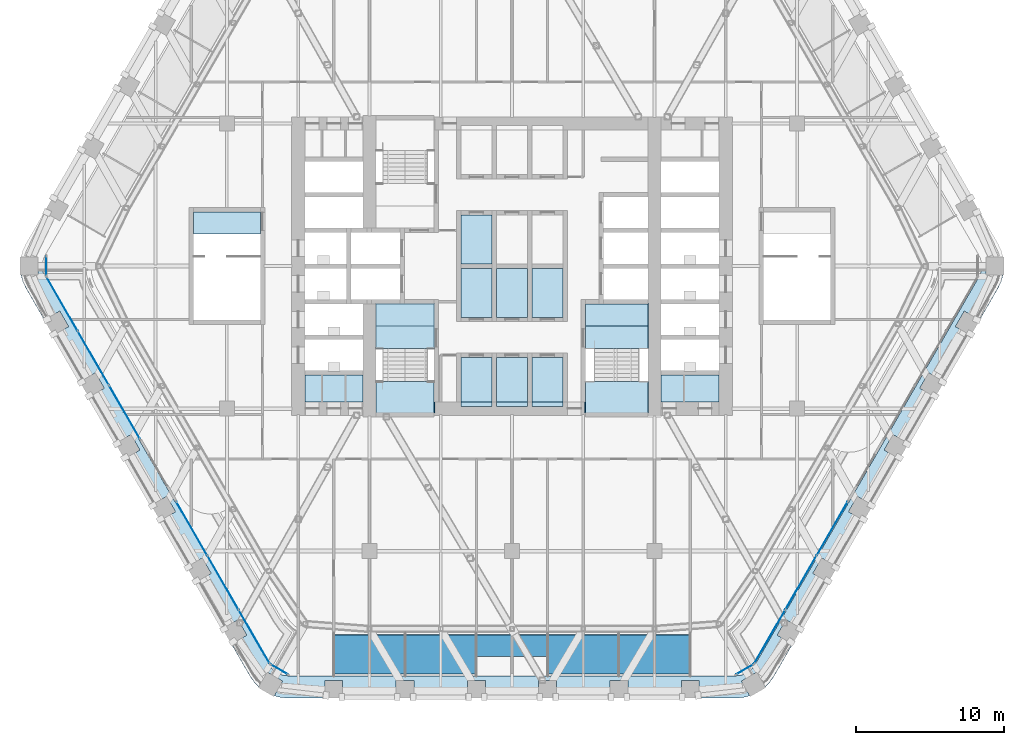
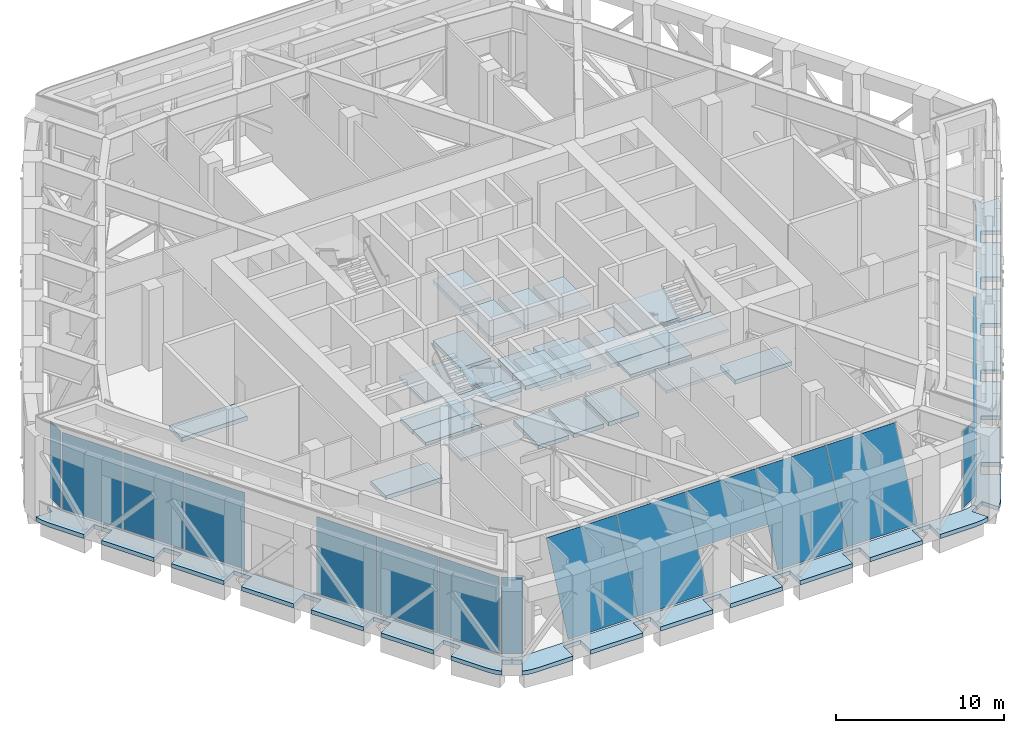
# One storey, part 13 of 27: 30 slabs, 17 plates, 9 elements without a shape of their own.
"""IFC4 building model written with IfcOpenShell, lengths in metres."""

from ifc_helpers import new_model, si_unit, direction, frame, origin, origin_2d, place, context, subcontext, project, spatial, polyline, rectangle, outline, extrude, material, layer, layer_set, type_object, element, aggregate, save


model = new_model("IFC4")

# Units and contexts
model_context = context("Model", 3, precision=1e-05, world=origin(), true_north=direction((0.0, 1.0)))
body_context = subcontext(model_context, "Body", "Model", "MODEL_VIEW")
ifc_project = project(units=[si_unit("LENGTHUNIT", "METRE"), si_unit("AREAUNIT", "SQUARE_METRE"), si_unit("VOLUMEUNIT", "CUBIC_METRE"), si_unit("PLANEANGLEUNIT", "RADIAN"), si_unit("MASSUNIT", "GRAM", prefix="KILO")], contexts=[model_context])

# Site, building, storey
site_placement = place(None, origin())
site = spatial("IfcSite", under=ifc_project, at=site_placement, CompositionType="ELEMENT")
building_placement = place(site_placement, origin())
building = spatial("IfcBuilding", under=site, at=building_placement, Name="Kolab Exchange Tower", CompositionType="ELEMENT")
storey_placement = place(building_placement, frame((0.0, 0.0, 127.39990234375)))
storey = spatial("IfcBuildingStorey", under=building, at=storey_placement, Name="L25", CompositionType="ELEMENT", Elevation=127.39990234375)

# Curtain wall, plates
ifc_material_1 = material(Name="Aluminium EN AW-6063 T6", Category="aluminium")
curtain_wall_type_1 = type_object("IfcCurtainWallType", Name="CANTED BAND CURTAIN WALL", PredefinedType="NOTDEFINED", material=ifc_material_1)
curtain_wall_1_placement = place(storey_placement, origin())
curtain_wall_1 = element("IfcCurtainWall", 1, at=curtain_wall_1_placement, inside=storey, type_object=curtain_wall_type_1, Name="band/L25/F4", PredefinedType="NOTDEFINED")
ifc_layer_1 = layer(ifc_material_1, 0.031982421875)
ifc_layer_set_1 = layer_set([ifc_layer_1], Name="Aluminium EN AW-6063 T6")
plate_type_1 = type_object("IfcPlateType", Name="CANTED BAND LOUVRE PANEL 32", PredefinedType="CURTAIN_PANEL", material=ifc_layer_set_1)
plate_1_placement = place(storey_placement, frame((12.0, -27.473388671875, 0.0), z_axis=(0.0, -0.911700930448, 0.410854491786), x_axis=(-1.0, 0.0, 0.0)))
plate_1 = element("IfcPlate", 2, at=plate_1_placement, type_object=plate_type_1, Name="Band louvre panel", PredefinedType="CURTAIN_PANEL", context=body_context, shape_type="SweptSolid", body=[
    extrude(outline(polyline([(0.0, 0.0), (4.800048828125, 0.0), (4.800048828125, -6.361788865651314), (0.0, -6.361788865651314), (0.0, 0.0)])), origin(), (0.0, 0.0, -1.0), 0.031982421875),
])
plate_2_placement = place(storey_placement, frame((7.199951171875, -27.473388671875, 0.0), z_axis=(0.0, -0.911700930448, 0.410854491786), x_axis=(-1.0, 0.0, 0.0)))
plate_2 = element("IfcPlate", 3, at=plate_2_placement, type_object=plate_type_1, Name="Band louvre panel", PredefinedType="CURTAIN_PANEL", context=body_context, shape_type="SweptSolid", body=[
    extrude(outline(polyline([(0.0, 0.0), (4.800048828125, 0.0), (4.800048828125, -6.361788865651314), (0.0, -6.361788865651314), (0.0, 0.0)])), origin(), (0.0, 0.0, -1.0), 0.031982421875),
])
plate_3_placement = place(storey_placement, frame((2.39990234375, -26.2998046875, 2.604248046875), z_axis=(0.0, -0.911699829001, 0.410856935927), x_axis=(-1.0, 0.0, 0.0)))
plate_3 = element("IfcPlate", 4, at=plate_3_placement, type_object=plate_type_1, Name="Band louvre panel", PredefinedType="CURTAIN_PANEL", context=body_context, shape_type="SweptSolid", body=[
    extrude(outline(polyline([(0.0, 0.0), (4.7998046875, 0.0), (4.7998046875, -3.505321246742694), (0.0, -3.505321246742694), (0.0, 0.0)])), origin(), (0.0, 0.0, -1.0), 0.031982421875),
])
plate_4_placement = place(storey_placement, frame((-2.39990234375, -27.473388671875, 0.0), z_axis=(0.0, -0.911700930448, 0.410854491786), x_axis=(-1.0, 0.0, 0.0)))
plate_4 = element("IfcPlate", 5, at=plate_4_placement, type_object=plate_type_1, Name="Band louvre panel", PredefinedType="CURTAIN_PANEL", context=body_context, shape_type="SweptSolid", body=[
    extrude(outline(polyline([(0.0, 0.0), (4.800048828125, 0.0), (4.800048828125, -6.361788865651314), (0.0, -6.361788865651314), (0.0, 0.0)])), origin(), (0.0, 0.0, -1.0), 0.031982421875),
])
plate_5_placement = place(storey_placement, frame((-7.199951171875, -27.473388671875, 0.0), z_axis=(0.0, -0.911700930448, 0.410854491786), x_axis=(-1.0, 0.0, 0.0)))
plate_5 = element("IfcPlate", 6, at=plate_5_placement, type_object=plate_type_1, Name="Band louvre panel", PredefinedType="CURTAIN_PANEL", context=body_context, shape_type="SweptSolid", body=[
    extrude(outline(polyline([(0.0, 0.0), (4.800048828125, 0.0), (4.800048828125, -6.361788865651314), (0.0, -6.361788865651314), (0.0, 0.0)])), origin(), (0.0, 0.0, -1.0), 0.031982421875),
])
aggregate(curtain_wall_1, [plate_1, plate_2, plate_3, plate_4, plate_5])

# Slabs
ifc_material_2 = material(Name="Concrete C35/45", Category="concrete")
ifc_layer_2 = layer(ifc_material_2, 0.300048828125)
ifc_layer_set_2 = layer_set([ifc_layer_2], Name="Concrete C35/45")
slab_type_1 = type_object("IfcSlabType", Name="FLOOR SLAB 300", PredefinedType="FLOOR", material=ifc_layer_set_2)
slab_1_placement = place(storey_placement, frame((0.0, 0.0, -0.2998046875)))
element("IfcSlab", 7, at=slab_1_placement, inside=storey, type_object=slab_type_1, Name="slab/L25/floor/2", PredefinedType="FLOOR", context=body_context, shape_type="SweptSolid", body=[
    extrude(outline(polyline([(-10.050048828125, -9.14990234375), (-10.050048828125, -7.35009765625), (-13.949951171875, -7.35009765625), (-13.949951171875, -9.14990234375), (-10.050048828125, -9.14990234375)])), origin(), (0.0, 0.0, 1.0), 0.2998046875),
])
slab_2_placement = place(storey_placement, frame((0.0, 0.0, -0.2998046875)))
element("IfcSlab", 8, at=slab_2_placement, inside=storey, type_object=slab_type_1, Name="slab/L25/floor/4", PredefinedType="FLOOR", context=body_context, shape_type="SweptSolid", body=[
    extrude(outline(polyline([(10.050048828125, -9.14990234375), (13.949951171875, -9.14990234375), (13.949951171875, -7.35009765625), (10.050048828125, -7.35009765625), (10.050048828125, -9.14990234375)])), origin(), (0.0, 0.0, 1.0), 0.2998046875),
])
slab_3_placement = place(storey_placement, frame((0.0, 0.0, -0.2998046875)))
element("IfcSlab", 9, at=slab_3_placement, inside=storey, type_object=slab_type_1, Name="slab/L25/floor/6", PredefinedType="FLOOR", context=body_context, shape_type="SweptSolid", body=[
    extrude(outline(polyline([(-1.35009765625, -3.449951171875), (-1.35009765625, -0.14990234375), (-3.449951171875, -0.14990234375), (-3.449951171875, -3.449951171875), (-1.35009765625, -3.449951171875)])), origin(), (0.0, 0.0, 1.0), 0.2998046875),
])
slab_4_placement = place(storey_placement, frame((0.0, 0.0, -0.2998046875)))
element("IfcSlab", 10, at=slab_4_placement, inside=storey, type_object=slab_type_1, Name="slab/L25/floor/7", PredefinedType="FLOOR", context=body_context, shape_type="SweptSolid", body=[
    extrude(outline(polyline([(-1.35009765625, 0.14990234375), (-1.35009765625, 3.449951171875), (-3.449951171875, 3.449951171875), (-3.449951171875, 0.14990234375), (-1.35009765625, 0.14990234375)])), origin(), (0.0, 0.0, 1.0), 0.2998046875),
])
slab_5_placement = place(storey_placement, frame((0.0, 0.0, -0.2998046875)))
element("IfcSlab", 11, at=slab_5_placement, inside=storey, type_object=slab_type_1, Name="slab/L25/floor/8", PredefinedType="FLOOR", context=body_context, shape_type="SweptSolid", body=[
    extrude(outline(polyline([(-1.050048828125, -0.14990234375), (-1.050048828125, -3.449951171875), (1.050048828125, -3.449951171875), (1.050048828125, -0.14990234375), (-1.050048828125, -0.14990234375)])), origin(), (0.0, 0.0, 1.0), 0.2998046875),
])
slab_6_placement = place(storey_placement, frame((0.0, 0.0, -0.2998046875)))
element("IfcSlab", 12, at=slab_6_placement, inside=storey, type_object=slab_type_1, Name="slab/L25/floor/10", PredefinedType="FLOOR", context=body_context, shape_type="SweptSolid", body=[
    extrude(outline(polyline([(1.35009765625, -3.449951171875), (3.449951171875, -3.449951171875), (3.449951171875, -0.14990234375), (1.35009765625, -0.14990234375), (1.35009765625, -3.449951171875)])), origin(), (0.0, 0.0, 1.0), 0.2998046875),
])
slab_7_placement = place(storey_placement, frame((0.0, 0.0, -0.2998046875)))
element("IfcSlab", 13, at=slab_7_placement, inside=storey, type_object=slab_type_1, Name="slab/L25/floor/12", PredefinedType="FLOOR", context=body_context, shape_type="SweptSolid", body=[
    extrude(outline(polyline([(-21.449951171875, 3.64990234375), (-21.449951171875, 2.14990234375), (-16.949951171875, 2.14990234375), (-16.949951171875, 3.64990234375), (-21.449951171875, 3.64990234375)])), origin(), (0.0, 0.0, 1.0), 0.2998046875),
])
slab_8_placement = place(storey_placement, frame((0.0, 0.0, -0.2998046875)))
element("IfcSlab", 14, at=slab_8_placement, inside=storey, type_object=slab_type_1, Name="slab/L25/floor/14", PredefinedType="FLOOR", context=body_context, shape_type="SweptSolid", body=[
    extrude(outline(polyline([(-1.35009765625, -6.14990234375), (-3.449951171875, -6.14990234375), (-3.449951171875, -9.14990234375), (-1.35009765625, -9.14990234375), (-1.35009765625, -6.14990234375)])), origin(), (0.0, 0.0, 1.0), 0.2998046875),
])
slab_9_placement = place(storey_placement, frame((0.0, 0.0, -0.2998046875)))
element("IfcSlab", 15, at=slab_9_placement, inside=storey, type_object=slab_type_1, Name="slab/L25/floor/16", PredefinedType="FLOOR", context=body_context, shape_type="SweptSolid", body=[
    extrude(outline(polyline([(1.050048828125, -6.14990234375), (-1.050048828125, -6.14990234375), (-1.050048828125, -9.14990234375), (1.050048828125, -9.14990234375), (1.050048828125, -6.14990234375)])), origin(), (0.0, 0.0, 1.0), 0.2998046875),
])
slab_10_placement = place(storey_placement, frame((0.0, 0.0, -0.2998046875)))
element("IfcSlab", 16, at=slab_10_placement, inside=storey, type_object=slab_type_1, Name="slab/L25/floor/18", PredefinedType="FLOOR", context=body_context, shape_type="SweptSolid", body=[
    extrude(outline(polyline([(1.35009765625, -6.14990234375), (1.35009765625, -9.14990234375), (3.449951171875, -9.14990234375), (3.449951171875, -6.14990234375), (1.35009765625, -6.14990234375)])), origin(), (0.0, 0.0, 1.0), 0.2998046875),
])
slab_11_placement = place(storey_placement, frame((0.0, 0.0, -0.2998046875)))
element("IfcSlab", 17, at=slab_11_placement, inside=storey, type_object=slab_type_1, Name="slab/L25/floor/20", PredefinedType="FLOOR", context=body_context, shape_type="SweptSolid", body=[
    extrude(outline(polyline([(4.949951171875, -4.050048828125), (9.14990234375, -4.050048828125), (9.14990234375, -2.550048828125), (6.14990234375, -2.550048828125), (5.85009765625, -2.550048828125), (4.949951171875, -2.550048828125), (4.949951171875, -4.050048828125)])), origin(), (0.0, 0.0, 1.0), 0.2998046875),
])
slab_12_placement = place(storey_placement, frame((0.0, 0.0, -0.2998046875)))
element("IfcSlab", 18, at=slab_12_placement, inside=storey, type_object=slab_type_1, Name="slab/L25/floor/21", PredefinedType="FLOOR", context=body_context, shape_type="SweptSolid", body=[
    extrude(outline(polyline([(-9.14990234375, -2.550048828125), (-9.14990234375, -4.050048828125), (-5.25, -4.050048828125), (-5.25, -2.550048828125), (-7.25, -2.550048828125), (-7.550048828125, -2.550048828125), (-9.14990234375, -2.550048828125)])), origin(), (0.0, 0.0, 1.0), 0.2998046875),
])
ifc_layer_3 = layer(ifc_material_2, 0.300048828125)
ifc_layer_set_3 = layer_set([ifc_layer_3], Name="Concrete C35/45")
slab_type_2 = type_object("IfcSlabType", Name="LIFT PIT SLAB 300", PredefinedType="FLOOR", material=ifc_layer_set_3)
slab_13_placement = place(storey_placement, frame((0.0, 0.0, 4.10009765625)))
element("IfcSlab", 19, at=slab_13_placement, inside=storey, type_object=slab_type_2, Name="slab/L25/pit/HR4", PredefinedType="FLOOR", context=body_context, shape_type="SweptSolid", body=[
    extrude(outline(polyline([(-3.449951171875, 0.14990234375), (-1.35009765625, 0.14990234375), (-1.35009765625, 3.449951171875), (-3.449951171875, 3.449951171875), (-3.449951171875, 0.14990234375)])), origin(), (0.0, 0.0, 1.0), 0.300048828125),
])
slab_14_placement = place(storey_placement, frame((0.0, 0.0, 4.10009765625)))
element("IfcSlab", 20, at=slab_14_placement, inside=storey, type_object=slab_type_2, Name="slab/L25/pit/HR7", PredefinedType="FLOOR", context=body_context, shape_type="SweptSolid", body=[
    extrude(outline(polyline([(-3.449951171875, -3.449951171875), (-1.35009765625, -3.449951171875), (-1.35009765625, -0.14990234375), (-3.449951171875, -0.14990234375), (-3.449951171875, -3.449951171875)])), origin(), (0.0, 0.0, 1.0), 0.300048828125),
])
slab_15_placement = place(storey_placement, frame((0.0, 0.0, 4.10009765625)))
element("IfcSlab", 21, at=slab_15_placement, inside=storey, type_object=slab_type_2, Name="slab/L25/pit/HR8", PredefinedType="FLOOR", context=body_context, shape_type="SweptSolid", body=[
    extrude(outline(polyline([(-1.050048828125, -3.449951171875), (1.050048828125, -3.449951171875), (1.050048828125, -0.14990234375), (-1.050048828125, -0.14990234375), (-1.050048828125, -3.449951171875)])), origin(), (0.0, 0.0, 1.0), 0.300048828125),
])
slab_16_placement = place(storey_placement, frame((0.0, 0.0, 4.10009765625)))
element("IfcSlab", 22, at=slab_16_placement, inside=storey, type_object=slab_type_2, Name="slab/L25/pit/HR9", PredefinedType="FLOOR", context=body_context, shape_type="SweptSolid", body=[
    extrude(outline(polyline([(1.35009765625, -3.449951171875), (3.449951171875, -3.449951171875), (3.449951171875, -0.14990234375), (1.35009765625, -0.14990234375), (1.35009765625, -3.449951171875)])), origin(), (0.0, 0.0, 1.0), 0.300048828125),
])
slab_17_placement = place(storey_placement, frame((0.0, 0.0, 4.10009765625)))
element("IfcSlab", 23, at=slab_17_placement, inside=storey, type_object=slab_type_2, Name="slab/L25/pit/HR10", PredefinedType="FLOOR", context=body_context, shape_type="SweptSolid", body=[
    extrude(outline(polyline([(-3.449951171875, -9.449951171875), (-1.35009765625, -9.449951171875), (-1.35009765625, -6.14990234375), (-3.449951171875, -6.14990234375), (-3.449951171875, -9.449951171875)])), origin(), (0.0, 0.0, 1.0), 0.300048828125),
])
slab_18_placement = place(storey_placement, frame((0.0, 0.0, 4.10009765625)))
element("IfcSlab", 24, at=slab_18_placement, inside=storey, type_object=slab_type_2, Name="slab/L25/pit/HR11", PredefinedType="FLOOR", context=body_context, shape_type="SweptSolid", body=[
    extrude(outline(polyline([(-1.050048828125, -9.449951171875), (1.050048828125, -9.449951171875), (1.050048828125, -6.14990234375), (-1.050048828125, -6.14990234375), (-1.050048828125, -9.449951171875)])), origin(), (0.0, 0.0, 1.0), 0.300048828125),
])
slab_19_placement = place(storey_placement, frame((0.0, 0.0, 4.10009765625)))
element("IfcSlab", 25, at=slab_19_placement, inside=storey, type_object=slab_type_2, Name="slab/L25/pit/HR12", PredefinedType="FLOOR", context=body_context, shape_type="SweptSolid", body=[
    extrude(outline(polyline([(1.35009765625, -9.449951171875), (3.449951171875, -9.449951171875), (3.449951171875, -6.14990234375), (1.35009765625, -6.14990234375), (1.35009765625, -9.449951171875)])), origin(), (0.0, 0.0, 1.0), 0.300048828125),
])
ifc_layer_4 = layer(ifc_material_2, 0.300048828125)
ifc_layer_set_4 = layer_set([ifc_layer_4], Name="Concrete C35/45")
slab_type_3 = type_object("IfcSlabType", Name="LOGGIA SLAB 300", PredefinedType="FLOOR", material=ifc_layer_set_4)
slab_20_placement = place(storey_placement, frame((0.0, 0.0, -0.2998046875)))
element("IfcSlab", 26, at=slab_20_placement, inside=storey, type_object=slab_type_3, Name="slab/L25/loggia/2-0", PredefinedType="FLOOR", context=body_context, shape_type="SweptSolid", body=[
    extrude(outline(polyline([(17.666015625, -27.598388671875), (18.89990234375, -25.461181640625), (17.86083984375, -24.861083984375), (18.460693359375, -23.822021484375), (19.5, -24.421875), (21.300048828125, -21.30419921875), (20.2607421875, -20.704345703125), (20.86083984375, -19.6650390625), (21.89990234375, -20.264892578125), (23.699951171875, -17.147216796875), (22.660888671875, -16.54736328125), (23.2607421875, -15.508056640625), (24.300048828125, -16.108154296875), (26.10009765625, -12.990478515625), (25.060791015625, -12.390380859375), (25.660888671875, -11.35107421875), (26.699951171875, -11.951171875), (28.5, -8.83349609375), (27.460693359375, -8.2333984375), (28.060791015625, -7.1943359375), (29.10009765625, -7.794189453125), (30.89990234375, -4.676513671875), (29.86083984375, -4.076416015625), (30.460693359375, -3.037353515625), (31.5, -3.63720703125), (32.73388671875, -1.5), (32.955078125, -1.026123046875), (33.069091796875, -0.60009765625), (31.935791015625, -0.60009765625), (31.935791015625, 0.0), (31.635986328125, 0.0), (31.613037109375, -0.260498046875), (31.54541015625, -0.512939453125), (31.434814453125, -0.75), (16.366943359375, -26.848388671875), (16.217041015625, -27.062744140625), (16.0322265625, -27.24755859375), (15.81787109375, -27.3974609375), (15.968017578125, -27.6572265625), (16.487548828125, -27.357177734375), (17.05419921875, -28.338623046875), (17.365966796875, -28.02685546875), (17.666015625, -27.598388671875)])), origin(), (0.0, 0.0, 1.0), 0.2998046875),
])
slab_21_placement = place(storey_placement, frame((0.0, 0.0, -0.2998046875)))
element("IfcSlab", 27, at=slab_21_placement, inside=storey, type_object=slab_type_3, Name="slab/L25/loggia/3-0", PredefinedType="FLOOR", context=body_context, shape_type="SweptSolid", body=[
    extrude(outline(polyline([(-15.81787109375, -27.3974609375), (-15.968017578125, -27.6572265625), (-15.4482421875, -27.957275390625), (-16.014892578125, -28.938720703125), (-15.5888671875, -29.052978515625), (-15.06787109375, -29.098388671875), (-12.60009765625, -29.098388671875), (-12.60009765625, -27.8984375), (-11.39990234375, -27.8984375), (-11.39990234375, -29.098388671875), (-7.800048828125, -29.098388671875), (-7.800048828125, -27.8984375), (-6.60009765625, -27.8984375), (-6.60009765625, -29.098388671875), (-3.0, -29.098388671875), (-3.0, -27.8984375), (-1.800048828125, -27.8984375), (-1.800048828125, -29.098388671875), (1.800048828125, -29.098388671875), (1.800048828125, -27.8984375), (3.0, -27.8984375), (3.0, -29.098388671875), (6.60009765625, -29.098388671875), (6.60009765625, -27.8984375), (7.800048828125, -27.8984375), (7.800048828125, -29.098388671875), (11.39990234375, -29.098388671875), (11.39990234375, -27.8984375), (12.60009765625, -27.8984375), (12.60009765625, -29.098388671875), (15.06787109375, -29.098388671875), (15.5888671875, -29.052978515625), (16.014892578125, -28.938720703125), (15.4482421875, -27.957275390625), (15.968017578125, -27.6572265625), (15.81787109375, -27.3974609375), (15.5810546875, -27.508056640625), (15.328369140625, -27.57568359375), (15.06787109375, -27.598388671875), (-15.06787109375, -27.598388671875), (-15.328369140625, -27.57568359375), (-15.5810546875, -27.508056640625), (-15.81787109375, -27.3974609375)])), origin(), (0.0, 0.0, 1.0), 0.2998046875),
])
slab_22_placement = place(storey_placement, frame((0.0, 0.0, -0.2998046875)))
element("IfcSlab", 28, at=slab_22_placement, inside=storey, type_object=slab_type_3, Name="slab/L25/loggia/4-0", PredefinedType="FLOOR", context=body_context, shape_type="SweptSolid", body=[
    extrude(outline(polyline([(-31.635986328125, 0.0), (-31.935791015625, 0.0), (-31.935791015625, -0.60009765625), (-33.069091796875, -0.60009765625), (-32.955078125, -1.026123046875), (-32.73388671875, -1.5), (-31.5, -3.63720703125), (-30.460693359375, -3.037353515625), (-29.86083984375, -4.076416015625), (-30.89990234375, -4.676513671875), (-29.10009765625, -7.794189453125), (-28.060791015625, -7.1943359375), (-27.460693359375, -8.2333984375), (-28.5, -8.83349609375), (-26.699951171875, -11.951171875), (-25.660888671875, -11.35107421875), (-25.060791015625, -12.390380859375), (-26.10009765625, -12.990478515625), (-24.300048828125, -16.108154296875), (-23.2607421875, -15.508056640625), (-22.660888671875, -16.54736328125), (-23.699951171875, -17.147216796875), (-21.89990234375, -20.264892578125), (-20.86083984375, -19.6650390625), (-20.2607421875, -20.704345703125), (-21.300048828125, -21.30419921875), (-19.5, -24.421875), (-18.460693359375, -23.822021484375), (-17.86083984375, -24.861083984375), (-18.89990234375, -25.461181640625), (-17.666015625, -27.598388671875), (-17.365966796875, -28.02685546875), (-17.05419921875, -28.338623046875), (-16.487548828125, -27.357177734375), (-15.968017578125, -27.6572265625), (-15.81787109375, -27.3974609375), (-16.0322265625, -27.24755859375), (-16.217041015625, -27.062744140625), (-16.366943359375, -26.848388671875), (-31.434814453125, -0.75), (-31.54541015625, -0.512939453125), (-31.613037109375, -0.260498046875), (-31.635986328125, 0.0)])), origin(), (0.0, 0.0, 1.0), 0.2998046875),
])

# Stair, slabs
ifc_material_3 = material(Name="Concrete C50/60", Category="concrete")
stair_type_1 = type_object("IfcStairType", Name="STAIR ST3 RISER 166.7", PredefinedType="DOUBLE_RETURN_STAIR", material=ifc_material_3)
stair_1_placement = place(storey_placement, origin())
stair_1 = element("IfcStair", 29, at=stair_1_placement, inside=storey, type_object=stair_type_1, Name="Stair 3", PredefinedType="DOUBLE_RETURN_STAIR")
ifc_layer_5 = layer(ifc_material_3, 0.199951171875)
ifc_layer_set_5 = layer_set([ifc_layer_5], Name="Concrete C50/60")
slab_type_4 = type_object("IfcSlabType", Name="STAIR LANDING 200", PredefinedType="LANDING", material=ifc_layer_set_5)
slab_23_placement = place(storey_placement, frame((0.0, 0.0, -0.199951171875)))
slab_23 = element("IfcSlab", 30, at=slab_23_placement, type_object=slab_type_4, Name="ST3 landing 1", PredefinedType="LANDING", context=body_context, shape_type="SweptSolid", body=[
    extrude(outline(polyline([(-9.14990234375, -5.550048828125), (-5.25, -5.550048828125), (-5.25, -4.050048828125), (-9.14990234375, -4.050048828125), (-9.14990234375, -5.550048828125)])), origin(), (0.0, 0.0, 1.0), 0.199951171875),
])
slab_24_placement = place(storey_placement, frame((0.0, 0.0, 1.300048828125)))
slab_24 = element("IfcSlab", 31, at=slab_24_placement, type_object=slab_type_4, Name="ST3 landing 2", PredefinedType="LANDING", context=body_context, shape_type="SweptSolid", body=[
    extrude(outline(polyline([(-9.2099609375, -9.909912109375), (-5.18994140625, -9.909912109375), (-5.18994140625, -7.7900390625), (-9.2099609375, -7.7900390625), (-9.2099609375, -9.909912109375)])), origin(), (0.0, 0.0, 1.0), 0.199951171875),
])
slab_25_placement = place(storey_placement, frame((0.0, 0.0, 2.800048828125)))
slab_25 = element("IfcSlab", 32, at=slab_25_placement, type_object=slab_type_4, Name="ST3 landing 3", PredefinedType="LANDING", context=body_context, shape_type="SweptSolid", body=[
    extrude(outline(polyline([(-9.2099609375, -5.550048828125), (-5.18994140625, -5.550048828125), (-5.18994140625, -2.489990234375), (-9.2099609375, -2.489990234375), (-9.2099609375, -5.550048828125)])), origin(), (0.0, 0.0, 1.0), 0.199951171875),
])
slab_26_placement = place(storey_placement, frame((0.0, 0.0, 4.300048828125)))
slab_26 = element("IfcSlab", 33, at=slab_26_placement, type_object=slab_type_4, Name="ST3 landing 4", PredefinedType="LANDING", context=body_context, shape_type="SweptSolid", body=[
    extrude(outline(polyline([(-9.14990234375, -9.909912109375), (-5.25, -9.909912109375), (-5.25, -7.7900390625), (-9.14990234375, -7.7900390625), (-9.14990234375, -9.909912109375)])), origin(), (0.0, 0.0, 1.0), 0.199951171875),
])
aggregate(stair_1, [slab_23, slab_24, slab_25, slab_26])

stair_type_2 = type_object("IfcStairType", Name="STAIR ST2 RISER 166.7", PredefinedType="DOUBLE_RETURN_STAIR", material=ifc_material_3)
stair_2_placement = place(storey_placement, origin())
stair_2 = element("IfcStair", 34, at=stair_2_placement, inside=storey, type_object=stair_type_2, Name="Stair 2", PredefinedType="DOUBLE_RETURN_STAIR")
slab_27_placement = place(storey_placement, frame((0.0, 0.0, -0.199951171875)))
slab_27 = element("IfcSlab", 35, at=slab_27_placement, type_object=slab_type_4, Name="ST2 landing 1", PredefinedType="LANDING", context=body_context, shape_type="SweptSolid", body=[
    extrude(outline(polyline([(4.949951171875, -5.550048828125), (9.14990234375, -5.550048828125), (9.14990234375, -4.050048828125), (4.949951171875, -4.050048828125), (4.949951171875, -5.550048828125)])), origin(), (0.0, 0.0, 1.0), 0.199951171875),
])
slab_28_placement = place(storey_placement, frame((0.0, 0.0, 1.300048828125)))
slab_28 = element("IfcSlab", 36, at=slab_28_placement, type_object=slab_type_4, Name="ST2 landing 2", PredefinedType="LANDING", context=body_context, shape_type="SweptSolid", body=[
    extrude(outline(polyline([(4.889892578125, -9.909912109375), (9.2099609375, -9.909912109375), (9.2099609375, -7.7900390625), (4.889892578125, -7.7900390625), (4.889892578125, -9.909912109375)])), origin(), (0.0, 0.0, 1.0), 0.199951171875),
])
slab_29_placement = place(storey_placement, frame((0.0, 0.0, 2.800048828125)))
slab_29 = element("IfcSlab", 37, at=slab_29_placement, type_object=slab_type_4, Name="ST2 landing 3", PredefinedType="LANDING", context=body_context, shape_type="SweptSolid", body=[
    extrude(outline(polyline([(4.889892578125, -5.550048828125), (9.2099609375, -5.550048828125), (9.2099609375, -2.489990234375), (4.889892578125, -2.489990234375), (4.889892578125, -5.550048828125)])), origin(), (0.0, 0.0, 1.0), 0.199951171875),
])
slab_30_placement = place(storey_placement, frame((0.0, 0.0, 4.300048828125)))
slab_30 = element("IfcSlab", 38, at=slab_30_placement, type_object=slab_type_4, Name="ST2 landing 4", PredefinedType="LANDING", context=body_context, shape_type="SweptSolid", body=[
    extrude(outline(polyline([(4.949951171875, -9.909912109375), (9.14990234375, -9.909912109375), (9.14990234375, -7.7900390625), (4.949951171875, -7.7900390625), (4.949951171875, -9.909912109375)])), origin(), (0.0, 0.0, 1.0), 0.199951171875),
])
aggregate(stair_2, [slab_27, slab_28, slab_29, slab_30])

# Curtain wall, plates
curtain_wall_type_2 = type_object("IfcCurtainWallType", Name="UNITISED LOWER MID ZONE BELT CURTAIN WALL", PredefinedType="NOTDEFINED", material=ifc_material_1)
curtain_wall_2_placement = place(storey_placement, origin())
curtain_wall_2 = element("IfcCurtainWall", 39, at=curtain_wall_2_placement, inside=storey, type_object=curtain_wall_type_2, Name="cw/L25/F3-2", PredefinedType="NOTDEFINED")
ifc_layer_6 = layer(ifc_material_1, 0.02587890625)
ifc_layer_set_6 = layer_set([ifc_layer_6], Name="Aluminium EN AW-6063 T6")
plate_type_2 = type_object("IfcPlateType", Name="UNITISED LOWER MID ZONE BELT LOUVRE PANEL 26", PredefinedType="CURTAIN_PANEL", material=ifc_layer_set_6)
plate_6_placement = place(storey_placement, frame((21.568603515625, -17.67919921875, 0.06005859375), z_axis=(0.0, 0.0, 1.0), x_axis=(-0.500000017564, -0.866025393644, 0.0)))
plate_6 = element("IfcPlate", 40, at=plate_6_placement, type_object=plate_type_2, Name="CW10 panel 1.1", PredefinedType="CURTAIN_PANEL", context=body_context, shape_type="SweptSolid", body=[
    extrude(rectangle(XDim=4.132568359375, YDim=0.02587890625, at=origin_2d()), origin(), (0.0, 0.0, 1.0), 5.580078125),
])
plate_7_placement = place(storey_placement, frame((19.464599609375, -21.322998046875, 0.06005859375), z_axis=(0.0, 0.0, 1.0), x_axis=(-0.500000017564, -0.866025393644, 0.0)))
plate_7 = element("IfcPlate", 41, at=plate_7_placement, type_object=plate_type_2, Name="CW10 panel 2.1", PredefinedType="CURTAIN_PANEL", context=body_context, shape_type="SweptSolid", body=[
    extrude(rectangle(XDim=4.16259765625, YDim=0.02587890625, at=origin_2d()), origin(), (0.0, 0.0, 1.0), 5.580078125),
])
plate_8_placement = place(storey_placement, frame((17.36083984375, -24.967041015625, 0.06005859375), z_axis=(0.0, 0.0, 1.0), x_axis=(-0.500000017564, -0.866025393644, 0.0)))
plate_8 = element("IfcPlate", 42, at=plate_8_placement, type_object=plate_type_2, Name="CW10 panel 3.1", PredefinedType="CURTAIN_PANEL", context=body_context, shape_type="SweptSolid", body=[
    extrude(rectangle(XDim=4.132568359375, YDim=0.02587890625, at=origin_2d()), origin(), (0.0, 0.0, 1.0), 5.580078125),
])
aggregate(curtain_wall_2, [plate_6, plate_7, plate_8])

curtain_wall_3_placement = place(storey_placement, origin())
curtain_wall_3 = element("IfcCurtainWall", 43, at=curtain_wall_3_placement, inside=storey, type_object=curtain_wall_type_2, Name="cw/L25/F5-1", PredefinedType="NOTDEFINED")
plate_9_placement = place(storey_placement, frame((-17.36083984375, -24.967041015625, 0.06005859375), z_axis=(0.0, 0.0, 1.0), x_axis=(-0.500000017564, 0.866025393644, 0.0)))
plate_9 = element("IfcPlate", 44, at=plate_9_placement, type_object=plate_type_2, Name="CW10 panel 1.1", PredefinedType="CURTAIN_PANEL", context=body_context, shape_type="SweptSolid", body=[
    extrude(rectangle(XDim=4.132568359375, YDim=0.02587890625, at=origin_2d()), origin(), (0.0, 0.0, 1.0), 5.580078125),
])
plate_10_placement = place(storey_placement, frame((-19.464599609375, -21.322998046875, 0.06005859375), z_axis=(0.0, 0.0, 1.0), x_axis=(-0.500000017564, 0.866025393644, 0.0)))
plate_10 = element("IfcPlate", 45, at=plate_10_placement, type_object=plate_type_2, Name="CW10 panel 2.1", PredefinedType="CURTAIN_PANEL", context=body_context, shape_type="SweptSolid", body=[
    extrude(rectangle(XDim=4.16259765625, YDim=0.02587890625, at=origin_2d()), origin(), (0.0, 0.0, 1.0), 5.580078125),
])
plate_11_placement = place(storey_placement, frame((-21.568603515625, -17.67919921875, 0.06005859375), z_axis=(0.0, 0.0, 1.0), x_axis=(-0.500000017564, 0.866025393644, 0.0)))
plate_11 = element("IfcPlate", 46, at=plate_11_placement, type_object=plate_type_2, Name="CW10 panel 3.1", PredefinedType="CURTAIN_PANEL", context=body_context, shape_type="SweptSolid", body=[
    extrude(rectangle(XDim=4.132568359375, YDim=0.02587890625, at=origin_2d()), origin(), (0.0, 0.0, 1.0), 5.580078125),
])
aggregate(curtain_wall_3, [plate_9, plate_10, plate_11])

curtain_wall_4_placement = place(storey_placement, origin())
curtain_wall_4 = element("IfcCurtainWall", 47, at=curtain_wall_4_placement, inside=storey, type_object=curtain_wall_type_2, Name="cw/L25/F5-2", PredefinedType="NOTDEFINED")
plate_12_placement = place(storey_placement, frame((-26.0947265625, -9.83935546875, 0.06005859375), z_axis=(0.0, 0.0, 1.0), x_axis=(-0.499999958358, 0.866025427826, 0.0)))
plate_12 = element("IfcPlate", 48, at=plate_12_placement, type_object=plate_type_2, Name="CW10 panel 1.1", PredefinedType="CURTAIN_PANEL", context=body_context, shape_type="SweptSolid", body=[
    extrude(rectangle(XDim=4.132568359375, YDim=0.02587890625, at=origin_2d()), origin(), (0.0, 0.0, 1.0), 5.580078125),
])
plate_13_placement = place(storey_placement, frame((-28.19873046875, -6.1953125, 0.06005859375), z_axis=(0.0, 0.0, 1.0), x_axis=(-0.499999958358, 0.866025427826, 0.0)))
plate_13 = element("IfcPlate", 49, at=plate_13_placement, type_object=plate_type_2, Name="CW10 panel 2.1", PredefinedType="CURTAIN_PANEL", context=body_context, shape_type="SweptSolid", body=[
    extrude(rectangle(XDim=4.16259765625, YDim=0.02587890625, at=origin_2d()), origin(), (0.0, 0.0, 1.0), 5.580078125),
])
plate_14_placement = place(storey_placement, frame((-30.302490234375, -2.551513671875, 0.06005859375), z_axis=(0.0, 0.0, 1.0), x_axis=(-0.499999958358, 0.866025427826, 0.0)))
plate_14 = element("IfcPlate", 50, at=plate_14_placement, type_object=plate_type_2, Name="CW10 panel 3.1", PredefinedType="CURTAIN_PANEL", context=body_context, shape_type="SweptSolid", body=[
    extrude(rectangle(XDim=4.132568359375, YDim=0.02587890625, at=origin_2d()), origin(), (0.0, 0.0, 1.0), 5.580078125),
])
aggregate(curtain_wall_4, [plate_12, plate_13, plate_14])

# Curtain wall, plate
curtain_wall_5_placement = place(storey_placement, origin())
curtain_wall_5 = element("IfcCurtainWall", 51, at=curtain_wall_5_placement, inside=storey, type_object=curtain_wall_type_2, Name="cw/L25/F3F4-corner", PredefinedType="NOTDEFINED")
plate_15_placement = place(storey_placement, frame((15.682861328125, -27.16357421875, 0.06005859375), z_axis=(0.0, 0.0, 1.0), x_axis=(-0.866025390869, -0.50000002237, 0.0)))
plate_15 = element("IfcPlate", 52, at=plate_15_placement, type_object=plate_type_2, Name="CW10 panel 1.1", PredefinedType="CURTAIN_PANEL", context=body_context, shape_type="SweptSolid", body=[
    extrude(rectangle(XDim=1.300048828125, YDim=0.02587890625, at=origin_2d()), origin(), (0.0, 0.0, 1.0), 5.580078125),
])
aggregate(curtain_wall_5, [plate_15])

curtain_wall_6_placement = place(storey_placement, origin())
curtain_wall_6 = element("IfcCurtainWall", 53, at=curtain_wall_6_placement, inside=storey, type_object=curtain_wall_type_2, Name="cw/L25/F4F5-corner", PredefinedType="NOTDEFINED")
plate_16_placement = place(storey_placement, frame((-15.682861328125, -27.16357421875, 0.06005859375), z_axis=(0.0, 0.0, 1.0), x_axis=(-0.866025390869, 0.50000002237, 0.0)))
plate_16 = element("IfcPlate", 54, at=plate_16_placement, type_object=plate_type_2, Name="CW10 panel 1.1", PredefinedType="CURTAIN_PANEL", context=body_context, shape_type="SweptSolid", body=[
    extrude(rectangle(XDim=1.300048828125, YDim=0.02587890625, at=origin_2d()), origin(), (0.0, 0.0, 1.0), 5.580078125),
])
aggregate(curtain_wall_6, [plate_16])

curtain_wall_7_placement = place(storey_placement, origin())
curtain_wall_7 = element("IfcCurtainWall", 55, at=curtain_wall_7_placement, inside=storey, type_object=curtain_wall_type_2, Name="cw/L25/F5F6-corner", PredefinedType="NOTDEFINED")
plate_17_placement = place(storey_placement, frame((-31.36572265625, 0.0, 0.06005859375), z_axis=(0.0, 0.0, 1.0), x_axis=(0.0, 1.0, 0.0)))
plate_17 = element("IfcPlate", 56, at=plate_17_placement, type_object=plate_type_2, Name="CW10 panel 1.1", PredefinedType="CURTAIN_PANEL", context=body_context, shape_type="SweptSolid", body=[
    extrude(rectangle(XDim=1.300048828125, YDim=0.02587890625, at=origin_2d()), origin(), (0.0, 0.0, 1.0), 5.580078125),
])
aggregate(curtain_wall_7, [plate_17])

save(model, "model.ifc")
